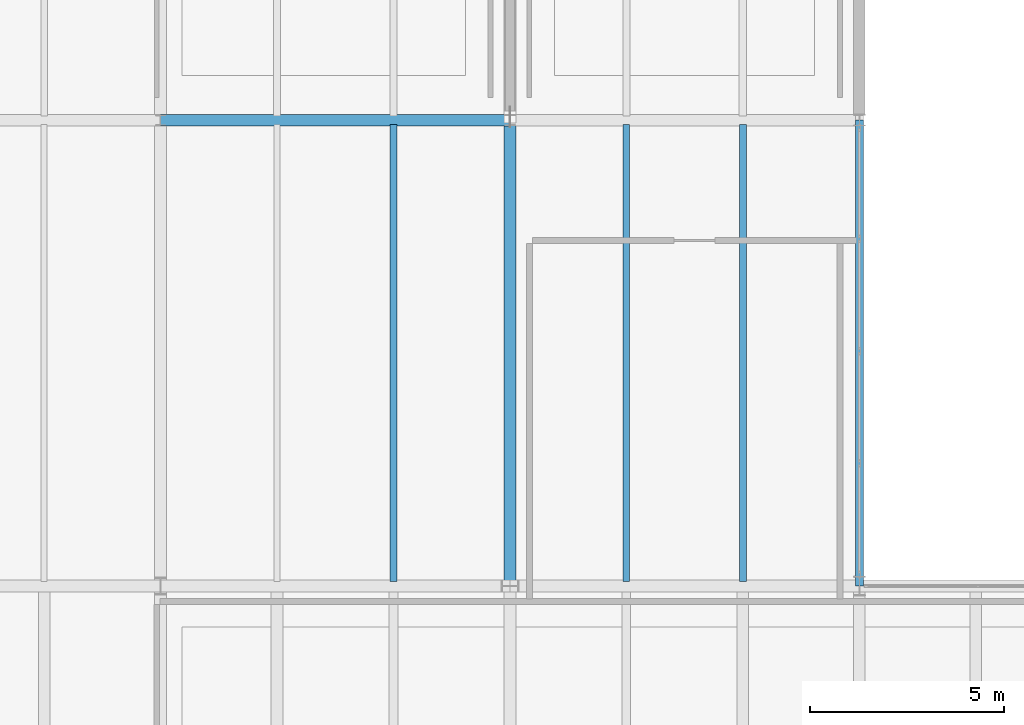
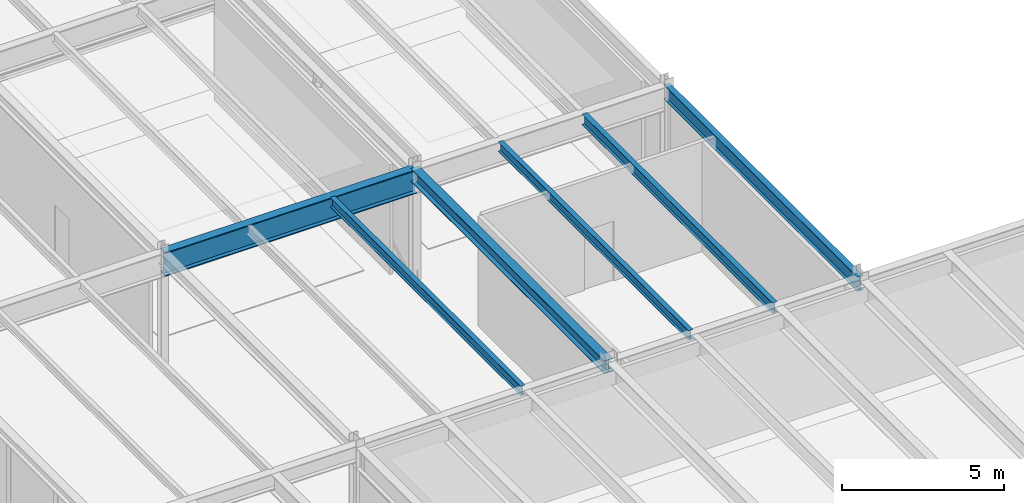
# One storey, part 45 of 127: 6 beams.
"""IFC4 building model written with IfcOpenShell, lengths in metres."""

from ifc_helpers import new_model, si_unit, direction, frame, origin, origin_2d, place, context, subcontext, project, spatial, i_section, extrude, material, material_profile, profile_set, type_object, element, save


model = new_model("IFC4")

# Units and contexts
model_context = context("Model", 3, precision=1e-05, world=origin(), true_north=direction((0.0, 1.0)))
body_context = subcontext(model_context, "Body", "Model", "MODEL_VIEW")
ifc_project = project(units=[si_unit("LENGTHUNIT", "METRE"), si_unit("AREAUNIT", "SQUARE_METRE"), si_unit("VOLUMEUNIT", "CUBIC_METRE"), si_unit("PLANEANGLEUNIT", "RADIAN"), si_unit("MASSUNIT", "GRAM", prefix="KILO")], contexts=[model_context])

# Site, building, storey
site_placement = place(None, origin())
site = spatial("IfcSite", under=ifc_project, at=site_placement, CompositionType="ELEMENT")
building_placement = place(site_placement, origin())
building = spatial("IfcBuilding", under=site, at=building_placement, Name="Montelvaro Courts of Justice", CompositionType="ELEMENT")
storey_placement = place(building_placement, frame((0.0, 0.0, 5.39990234375)))
storey = spatial("IfcBuildingStorey", under=building, at=storey_placement, Name="L01", CompositionType="ELEMENT", Elevation=5.39990234375)

# Beams
ifc_material = material(Name="Steel S355", Category="steel")
ifc_material_profile_1 = material_profile(ifc_material, i_section(OverallWidth=0.300048828125, OverallDepth=0.489990234375, WebThickness=0.011962890625, FlangeThickness=0.02294921875, at=origin_2d()), Name="HEA 500")
ifc_profile_set_1 = profile_set([ifc_material_profile_1], Name="Steel S355")
beam_type_1 = type_object("IfcBeamType", Name="Beam_HEA500", PredefinedType="USERDEFINED", material=ifc_profile_set_1)
beam_1_placement = place(storey_placement, frame((117.0, 42.0, 3.97509765625), z_axis=(0.0, 1.0, 0.0), x_axis=(-1.0, 0.0, 0.0)))
element("IfcBeam", 1, at=beam_1_placement, inside=storey, type_object=beam_type_1, Name="Beam B-19 L01", ObjectType="GIRDER", PredefinedType="USERDEFINED", context=body_context, shape_type="SweptSolid", body=[
    extrude(i_section(OverallWidth=0.300048828125, OverallDepth=0.489990234375, WebThickness=0.011962890625, FlangeThickness=0.02294921875, at=origin_2d()), origin(), (0.0, 0.0, 1.0), 12.0),
])
ifc_material_profile_2 = material_profile(ifc_material, i_section(OverallWidth=0.300048828125, OverallDepth=0.89990234375, WebThickness=0.0185546875, FlangeThickness=0.034912109375, at=origin_2d()), Name="HEB 900")
ifc_profile_set_2 = profile_set([ifc_material_profile_2], Name="Steel S355")
beam_type_2 = type_object("IfcBeamType", Name="Beam_HEB900", PredefinedType="USERDEFINED", material=ifc_profile_set_2)
beam_2_placement = place(storey_placement, frame((108.0, 54.0, 3.77001953125), z_axis=(1.0, 0.0, 0.0), x_axis=(0.0, 1.0, 0.0)))
element("IfcBeam", 2, at=beam_2_placement, inside=storey, type_object=beam_type_2, Name="Beam B-30 L01", ObjectType="GIRDER", PredefinedType="USERDEFINED", context=body_context, shape_type="SweptSolid", body=[
    extrude(i_section(OverallWidth=0.300048828125, OverallDepth=0.89990234375, WebThickness=0.0185546875, FlangeThickness=0.034912109375, at=origin_2d()), origin(), (0.0, 0.0, 1.0), 9.0),
])
ifc_material_profile_3 = material_profile(ifc_material, i_section(OverallWidth=0.169921875, OverallDepth=0.360107421875, WebThickness=0.008056640625, FlangeThickness=0.0126953125, at=origin_2d()), Name="IPE 360")
ifc_profile_set_3 = profile_set([ifc_material_profile_3], Name="Steel S355")
beam_type_3 = type_object("IfcBeamType", Name="Beam_IPE360", PredefinedType="BEAM", material=ifc_profile_set_3)
for number, where, z_axis, x_axis, name in (
    (3, (114.0, 42.110107421875, 4.0400390625), (0.0, 1.0, 0.0), (-1.0, 0.0, 0.0), "Beam B-07 L01"),
    (4, (120.0, 42.110107421875, 4.0400390625), (0.0, 1.0, 0.0), (-1.0, 0.0, 0.0), "Beam B-07 L01"),
):
    element("IfcBeam", number, at=place(storey_placement, frame(where, z_axis=z_axis, x_axis=x_axis)), inside=storey, type_object=beam_type_3, Name=name, PredefinedType="BEAM", context=body_context, shape_type="SweptSolid", body=[
        extrude(i_section(OverallWidth=0.169921875, OverallDepth=0.360107421875, WebThickness=0.008056640625, FlangeThickness=0.0126953125, at=origin_2d()), origin(), (0.0, 0.0, 1.0), 11.77978515625),
    ])
ifc_material_profile_4 = material_profile(ifc_material, i_section(OverallWidth=0.179931640625, OverallDepth=0.39990234375, WebThickness=0.008544921875, FlangeThickness=0.013427734375, at=origin_2d()), Name="IPE 400")
ifc_profile_set_4 = profile_set([ifc_material_profile_4], Name="Steel S355")
beam_type_4 = type_object("IfcBeamType", Name="Beam_IPE400", PredefinedType="BEAM", material=ifc_profile_set_4)
beam_3_placement = place(storey_placement, frame((123.0, 42.110107421875, 4.02001953125), z_axis=(0.0, 1.0, 0.0), x_axis=(-1.0, 0.0, 0.0)))
element("IfcBeam", 5, at=beam_3_placement, inside=storey, type_object=beam_type_4, Name="Beam B-08 L01", PredefinedType="BEAM", context=body_context, shape_type="SweptSolid", body=[
    extrude(i_section(OverallWidth=0.179931640625, OverallDepth=0.39990234375, WebThickness=0.008544921875, FlangeThickness=0.013427734375, at=origin_2d()), origin(), (0.0, 0.0, 1.0), 11.77978515625),
])
ifc_material_profile_5 = material_profile(ifc_material, i_section(OverallWidth=0.2099609375, OverallDepth=0.550048828125, WebThickness=0.010986328125, FlangeThickness=0.01708984375, at=origin_2d()), Name="IPE 550")
ifc_profile_set_5 = profile_set([ifc_material_profile_5], Name="Steel S355")
beam_type_5 = type_object("IfcBeamType", Name="Beam_IPE550", PredefinedType="BEAM", material=ifc_profile_set_5)
beam_4_placement = place(storey_placement, frame((126.0, 42.0, 3.945068359375), z_axis=(0.0, 1.0, 0.0), x_axis=(-1.0, 0.0, 0.0)))
element("IfcBeam", 6, at=beam_4_placement, inside=storey, type_object=beam_type_5, Name="Beam B-11 L01", PredefinedType="BEAM", context=body_context, shape_type="SweptSolid", body=[
    extrude(i_section(OverallWidth=0.2099609375, OverallDepth=0.550048828125, WebThickness=0.010986328125, FlangeThickness=0.01708984375, at=origin_2d()), origin(), (0.0, 0.0, 1.0), 12.0),
])

save(model, "model.ifc")
